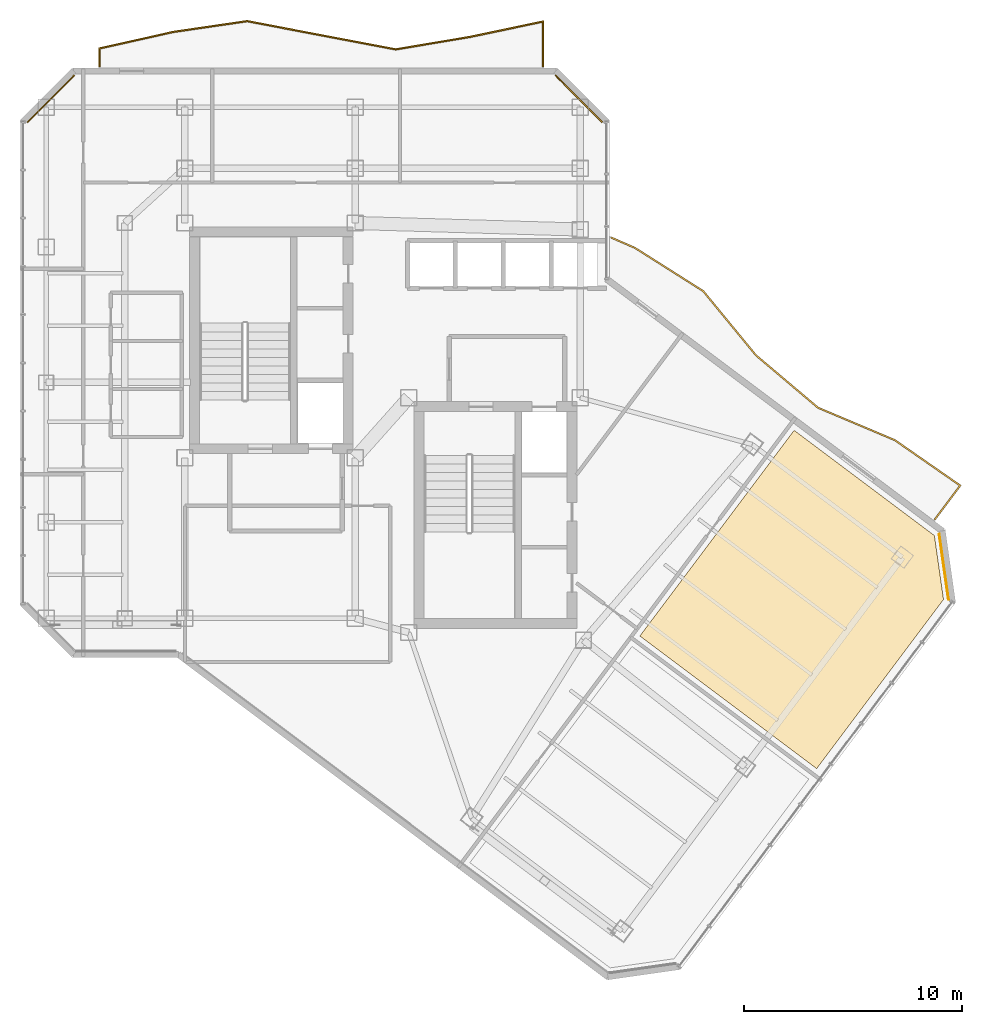
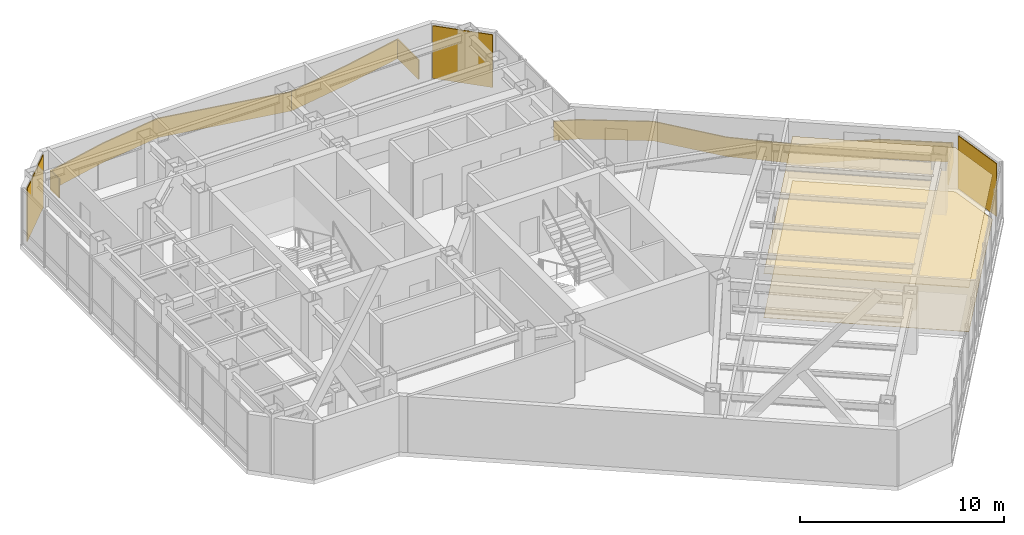
# One storey, part 24 of 24: 5 coverings, 2 railings.
"""IFC4 building model written with IfcOpenShell, lengths in metres."""

from ifc_helpers import new_model, si_unit, direction, frame, origin, origin_2d, place, context, subcontext, project, spatial, polyline, rectangle, outline, extrude, material, layer, layer_set, type_object, element, save


model = new_model("IFC4")

# Units and contexts
model_context = context("Model", 3, precision=1e-05, world=origin(), true_north=direction((0.0, 1.0)))
body_context = subcontext(model_context, "Body", "Model", "MODEL_VIEW")
ifc_project = project(units=[si_unit("LENGTHUNIT", "METRE"), si_unit("AREAUNIT", "SQUARE_METRE"), si_unit("VOLUMEUNIT", "CUBIC_METRE"), si_unit("PLANEANGLEUNIT", "RADIAN"), si_unit("MASSUNIT", "GRAM", prefix="KILO")], contexts=[model_context])

# Site, building, storey
site_placement = place(None, origin())
site = spatial("IfcSite", under=ifc_project, at=site_placement, CompositionType="ELEMENT")
building_placement = place(site_placement, origin())
building = spatial("IfcBuilding", under=site, at=building_placement, Name="Hatsunagi Terrace Concourse", CompositionType="ELEMENT")
storey_placement = place(building_placement, frame((0.0, 0.0, 202.35009765625)))
storey = spatial("IfcBuildingStorey", under=building, at=storey_placement, Name="L53", CompositionType="ELEMENT", Elevation=202.35009765625)

# Railings
ifc_material_1 = material(Name="Laminated Glass and Stainless Steel Guard", Category="steel")
ifc_layer_1 = layer(ifc_material_1, 0.070068359375)
ifc_layer_set_1 = layer_set([ifc_layer_1], Name="BalconyGlassGuardRail_1150")
railing_type = type_object("IfcRailingType", Name="BalconyGlassGuardRail_1150", PredefinedType="BALUSTRADE", material=ifc_layer_set_1)
railing_1_placement = place(storey_placement, origin())
element("IfcRailing", 1, at=railing_1_placement, inside=storey, type_object=railing_type, Name="Engawa Balcony Guard GRD-01 L53-BN-1", PredefinedType="BALUSTRADE", context=body_context, shape_type="SweptSolid", body=[
    extrude(outline(polyline([(21.614990234375, 50.449951171875), (21.68505859375, 50.449951171875), (21.68505859375, 51.263916015625), (25.015380859375, 52.0126953125), (28.398193359375, 52.507568359375), (35.19970703125, 51.21337890625), (38.615478515625, 51.78759765625), (41.9150390625, 52.48095703125), (41.9150390625, 50.449951171875), (41.985107421875, 50.449951171875), (41.985107421875, 52.567138671875), (38.6025390625, 51.8564453125), (35.200439453125, 51.28466796875), (28.39990234375, 52.57861328125), (25.002685546875, 52.081298828125), (21.614990234375, 51.320068359375), (21.614990234375, 50.449951171875)])), origin(), (0.0, 0.0, 1.0), 1.14990234375),
])
railing_2_placement = place(storey_placement, origin())
element("IfcRailing", 2, at=railing_2_placement, inside=storey, type_object=railing_type, Name="Engawa Balcony Guard GRD-01 L53-BSE-1", PredefinedType="BALUSTRADE", context=body_context, shape_type="SweptSolid", body=[
    extrude(outline(polyline([(45.06005859375, 42.674072265625), (45.031982421875, 42.60986328125), (46.138671875, 42.12890625), (49.256591796875, 40.154296875), (51.6708984375, 37.21630859375), (54.5185546875, 34.810791015625), (58.034912109375, 33.3271484375), (60.99609375, 31.27099609375), (59.842041015625, 29.73095703125), (59.89794921875, 29.68896484375), (61.095703125, 31.287109375), (58.069091796875, 33.388916015625), (54.555419921875, 34.87109375), (51.720947265625, 37.265625), (49.303466796875, 40.20751953125), (46.17138671875, 42.19091796875), (45.06005859375, 42.674072265625)])), origin(), (0.0, 0.0, 1.0), 1.14990234375),
])

# Coverings
ifc_material_2 = material(Name="Hardwood timber", Category="wood")
ifc_layer_2 = layer(ifc_material_2, 0.014892578125)
ifc_layer_set_2 = layer_set([ifc_layer_2], Name="HardwoodTimberFlooring_15")
covering_type_1 = type_object("IfcCoveringType", Name="HardwoodTimberFlooring_15", PredefinedType="FLOORING", material=ifc_layer_set_2)
covering_1_placement = place(storey_placement, origin())
element("IfcCovering", 3, at=covering_1_placement, inside=storey, type_object=covering_type_1, Name="Finished Flooring L53-2", PredefinedType="FLOORING", context=body_context, shape_type="SweptSolid", body=[
    extrude(outline(polyline([(59.865966796875, 28.988037109375), (53.44189453125, 33.805908203125), (46.3798828125, 24.389892578125), (54.47607421875, 18.318115234375), (60.283935546875, 26.06201171875), (59.865966796875, 28.988037109375)])), origin(), (0.0, 0.0, 1.0), 0.014892578125),
])
ifc_material_3 = material(Name="Unglazed Warm Terracotta Rainscreen Tile", Category="masonry")
ifc_layer_3 = layer(ifc_material_3, 0.044921875)
ifc_layer_set_3 = layer_set([ifc_layer_3], Name="TerracottaRainscreenCladding_45")
covering_type_2 = type_object("IfcCoveringType", Name="TerracottaRainscreenCladding_45", PredefinedType="CLADDING", material=ifc_layer_set_3)
for number, where, z_axis, x_axis, name in (
    (4, (60.301025390625, 27.55810546875, 0.099853515625), (0.0, 0.0, 1.0), (0.141250262458, -0.989973920543, 0.0), "Terracotta Rainscreen Cladding L53-02"),
    (5, (19.4140625, 48.986083984375, 0.099853515625), (0.0, 0.0, 1.0), (0.707106781187, 0.707106781187, 0.0), "Terracotta Rainscreen Cladding L53-09"),
    (6, (43.5859375, 48.986083984375, 0.099853515625), (0.0, 0.0, 1.0), (0.707106781187, -0.707106781187, 0.0), "Terracotta Rainscreen Cladding L53-11"),
):
    element("IfcCovering", number, at=place(storey_placement, frame(where, z_axis=z_axis, x_axis=x_axis)), inside=storey, type_object=covering_type_2, Name=name, PredefinedType="CLADDING", context=body_context, shape_type="SweptSolid", body=[
        extrude(rectangle(XDim=3.0380859375, YDim=0.044921875, at=origin_2d()), origin(), (0.0, 0.0, 1.0), 3.14990234375),
    ])
ifc_material_4 = material(Name="Hardwood timber", Category="wood")
ifc_layer_4 = layer(ifc_material_4, 0.034912109375)
ifc_layer_set_4 = layer_set([ifc_layer_4], Name="TimberBaffleCeiling_35")
covering_type_3 = type_object("IfcCoveringType", Name="TimberBaffleCeiling_35", PredefinedType="CEILING", material=ifc_layer_set_4)
covering_2_placement = place(storey_placement, frame((0.0, 0.0, 2.6298828125)))
element("IfcCovering", 7, at=covering_2_placement, inside=storey, type_object=covering_type_3, Name="Suspended Ceiling L53-2", PredefinedType="CEILING", context=body_context, shape_type="SweptSolid", body=[
    extrude(outline(polyline([(59.865966796875, 28.988037109375), (53.44189453125, 33.805908203125), (46.3798828125, 24.389892578125), (54.47607421875, 18.318115234375), (60.283935546875, 26.06201171875), (59.865966796875, 28.988037109375)])), origin(), (0.0, 0.0, 1.0), 0.034912109375),
])

save(model, "model.ifc")
